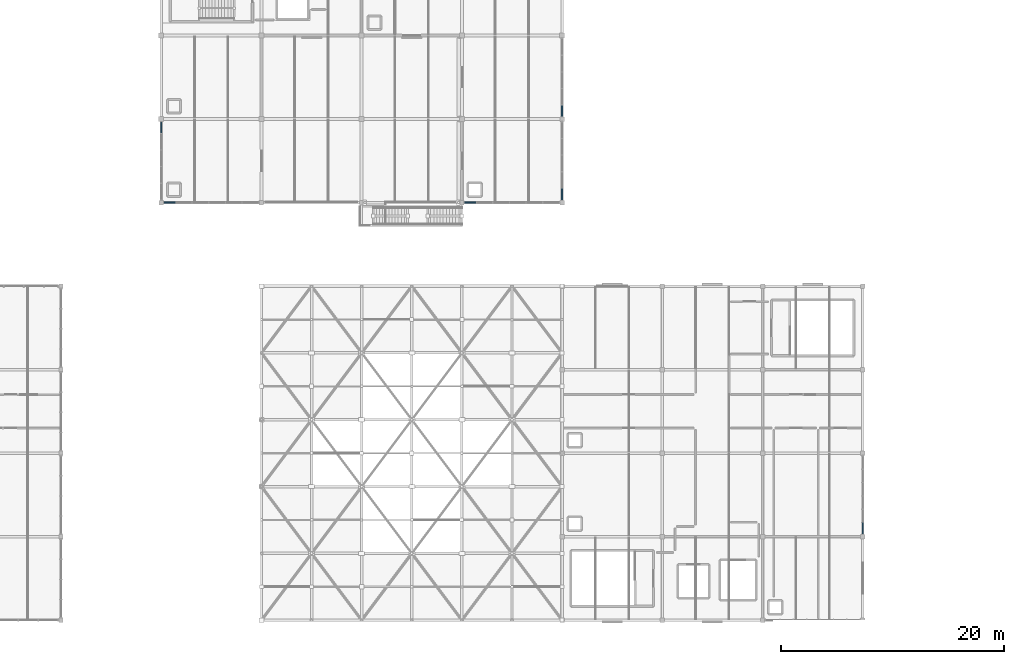
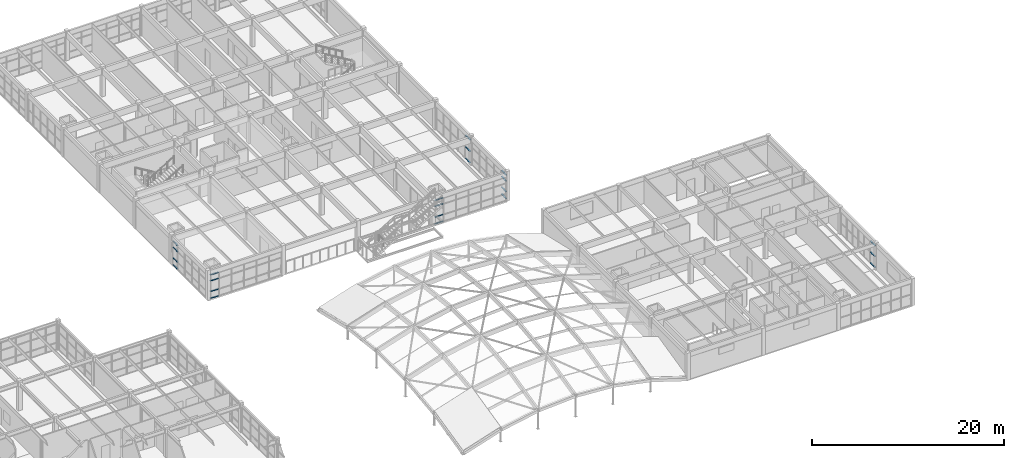
# One storey, part 47 of 81: 22 members, 6 elements without a shape of their own.
"""IFC4 building model written with IfcOpenShell, lengths in metres."""

from ifc_helpers import new_model, si_unit, direction, frame, origin, origin_2d, place, context, subcontext, project, spatial, rectangle, extrude, material, layer, layer_set, material_profile, profile_set, type_object, element, aggregate, save


model = new_model("IFC4")

# Units and contexts
model_context = context("Model", 3, precision=1e-05, world=origin(), true_north=direction((0.0, 1.0)))
body_context = subcontext(model_context, "Body", "Model", "MODEL_VIEW")
ifc_project = project(units=[si_unit("LENGTHUNIT", "METRE"), si_unit("AREAUNIT", "SQUARE_METRE"), si_unit("VOLUMEUNIT", "CUBIC_METRE"), si_unit("PLANEANGLEUNIT", "RADIAN"), si_unit("MASSUNIT", "GRAM", prefix="KILO")], contexts=[model_context])

# Site, building, storey
site_placement = place(None, origin())
site = spatial("IfcSite", under=ifc_project, at=site_placement, CompositionType="ELEMENT")
building_placement = place(site_placement, origin())
building = spatial("IfcBuilding", under=site, at=building_placement, Name="Marnridge Secondary College", CompositionType="ELEMENT")
storey_placement = place(building_placement, frame((0.0, 0.0, 8.5)))
storey = spatial("IfcBuildingStorey", under=building, at=storey_placement, Name="L02", CompositionType="ELEMENT", Elevation=8.5)

# Curtain wall, members
ifc_material_1 = material(Name="Thermally broken aluminium and low-E glazing", Category="aluminium")
ifc_layer_1 = layer(ifc_material_1, 0.159912109375)
ifc_layer_set_1 = layer_set([ifc_layer_1], Name="CW-MOD-1500")
curtain_wall_type_1 = type_object("IfcCurtainWallType", Name="CW-MOD-1500", PredefinedType="NOTDEFINED", material=ifc_layer_set_1)
curtain_wall_1_placement = place(storey_placement, origin())
curtain_wall_1 = element("IfcCurtainWall", 1, at=curtain_wall_1_placement, inside=storey, type_object=curtain_wall_type_1, Name="Unitised curtain wall CW-L02-078", PredefinedType="NOTDEFINED")
ifc_material_2 = material(Name="Anodised aluminium 6063-T6", Category="aluminium")
ifc_material_profile = material_profile(ifc_material_2, rectangle(XDim=0.06005859375, YDim=0.1201171875, at=origin_2d()), Name="ALU 60x120")
ifc_profile_set = profile_set([ifc_material_profile], Name="Anodised aluminium 6063-T6")
member_type = type_object("IfcMemberType", Name="CWT-ALU120", PredefinedType="USERDEFINED", material=ifc_profile_set)
member_1_placement = place(storey_placement, frame((90.0, 46.2109375, 0.030029296875), z_axis=(0.0, -1.0, 0.0), x_axis=(0.0, 0.0, 1.0)))
member_1 = element("IfcMember", 2, at=member_1_placement, type_object=member_type, Name="CW-L02-078 transom 5.1", ObjectType="TRANSOM", PredefinedType="USERDEFINED", context=body_context, shape_type="SweptSolid", body=[
    extrude(rectangle(XDim=0.06005859375, YDim=0.1201171875, at=origin_2d()), origin(), (0.0, 0.0, 1.0), 0.947021484375),
])
member_2_placement = place(storey_placement, frame((90.0, 46.2109375, 1.489013671875), z_axis=(0.0, -1.0, 0.0), x_axis=(0.0, 0.0, 1.0)))
member_2 = element("IfcMember", 3, at=member_2_placement, type_object=member_type, Name="CW-L02-078 transom 5.2", ObjectType="TRANSOM", PredefinedType="USERDEFINED", context=body_context, shape_type="SweptSolid", body=[
    extrude(rectangle(XDim=0.06005859375, YDim=0.1201171875, at=origin_2d()), origin(), (0.0, 0.0, 1.0), 0.947021484375),
])
member_3_placement = place(storey_placement, frame((90.0, 46.2109375, 2.947021484375), z_axis=(0.0, -1.0, 0.0), x_axis=(0.0, 0.0, 1.0)))
member_3 = element("IfcMember", 4, at=member_3_placement, type_object=member_type, Name="CW-L02-078 transom 5.3", ObjectType="TRANSOM", PredefinedType="USERDEFINED", context=body_context, shape_type="SweptSolid", body=[
    extrude(rectangle(XDim=0.06005859375, YDim=0.1201171875, at=origin_2d()), origin(), (0.0, 0.0, 1.0), 0.947021484375),
])
aggregate(curtain_wall_1, [member_1, member_2, member_3])

curtain_wall_2_placement = place(storey_placement, origin())
curtain_wall_2 = element("IfcCurtainWall", 5, at=curtain_wall_2_placement, inside=storey, type_object=curtain_wall_type_1, Name="Unitised curtain wall CW-L02-079", PredefinedType="NOTDEFINED")
member_4_placement = place(storey_placement, frame((90.0, 38.736083984375, 0.030029296875), z_axis=(0.0, -1.0, 0.0), x_axis=(0.0, 0.0, 1.0)))
member_4 = element("IfcMember", 6, at=member_4_placement, type_object=member_type, Name="CW-L02-079 transom 5.1", ObjectType="TRANSOM", PredefinedType="USERDEFINED", context=body_context, shape_type="SweptSolid", body=[
    extrude(rectangle(XDim=0.06005859375, YDim=0.1201171875, at=origin_2d()), origin(), (0.0, 0.0, 1.0), 0.97216796875),
])
member_5_placement = place(storey_placement, frame((90.0, 38.736083984375, 0.89990234375), z_axis=(0.0, -1.0, 0.0), x_axis=(0.0, 0.0, 1.0)))
member_5 = element("IfcMember", 7, at=member_5_placement, type_object=member_type, Name="CW-L02-079 transom 5.2", ObjectType="TRANSOM", PredefinedType="USERDEFINED", context=body_context, shape_type="SweptSolid", body=[
    extrude(rectangle(XDim=0.06005859375, YDim=0.1201171875, at=origin_2d()), origin(), (0.0, 0.0, 1.0), 0.97216796875),
])
member_6_placement = place(storey_placement, frame((90.0, 38.736083984375, 2.25), z_axis=(0.0, -1.0, 0.0), x_axis=(0.0, 0.0, 1.0)))
member_6 = element("IfcMember", 8, at=member_6_placement, type_object=member_type, Name="CW-L02-079 transom 5.3", ObjectType="TRANSOM", PredefinedType="USERDEFINED", context=body_context, shape_type="SweptSolid", body=[
    extrude(rectangle(XDim=0.06005859375, YDim=0.1201171875, at=origin_2d()), origin(), (0.0, 0.0, 1.0), 0.97216796875),
])
member_7_placement = place(storey_placement, frame((90.0, 38.736083984375, 3.01708984375), z_axis=(0.0, -1.0, 0.0), x_axis=(0.0, 0.0, 1.0)))
member_7 = element("IfcMember", 9, at=member_7_placement, type_object=member_type, Name="CW-L02-079 transom 5.4", ObjectType="TRANSOM", PredefinedType="USERDEFINED", context=body_context, shape_type="SweptSolid", body=[
    extrude(rectangle(XDim=0.06005859375, YDim=0.1201171875, at=origin_2d()), origin(), (0.0, 0.0, 1.0), 0.97216796875),
])
aggregate(curtain_wall_2, [member_4, member_5, member_6, member_7])

curtain_wall_3_placement = place(storey_placement, origin())
curtain_wall_3 = element("IfcCurtainWall", 10, at=curtain_wall_3_placement, inside=storey, type_object=curtain_wall_type_1, Name="Unitised curtain wall CW-L02-080", PredefinedType="NOTDEFINED")
member_8_placement = place(storey_placement, frame((82.236083984375, 37.5, 0.030029296875), z_axis=(-1.0, 0.0, 0.0), x_axis=(0.0, 0.0, 1.0)))
member_8 = element("IfcMember", 11, at=member_8_placement, type_object=member_type, Name="CW-L02-080 transom 6.1", ObjectType="TRANSOM", PredefinedType="USERDEFINED", context=body_context, shape_type="SweptSolid", body=[
    extrude(rectangle(XDim=0.06005859375, YDim=0.1201171875, at=origin_2d()), origin(), (0.0, 0.0, 1.0), 0.97216796875),
])
member_9_placement = place(storey_placement, frame((82.236083984375, 37.5, 0.89990234375), z_axis=(-1.0, 0.0, 0.0), x_axis=(0.0, 0.0, 1.0)))
member_9 = element("IfcMember", 12, at=member_9_placement, type_object=member_type, Name="CW-L02-080 transom 6.2", ObjectType="TRANSOM", PredefinedType="USERDEFINED", context=body_context, shape_type="SweptSolid", body=[
    extrude(rectangle(XDim=0.06005859375, YDim=0.1201171875, at=origin_2d()), origin(), (0.0, 0.0, 1.0), 0.97216796875),
])
member_10_placement = place(storey_placement, frame((82.236083984375, 37.5, 2.25), z_axis=(-1.0, 0.0, 0.0), x_axis=(0.0, 0.0, 1.0)))
member_10 = element("IfcMember", 13, at=member_10_placement, type_object=member_type, Name="CW-L02-080 transom 6.3", ObjectType="TRANSOM", PredefinedType="USERDEFINED", context=body_context, shape_type="SweptSolid", body=[
    extrude(rectangle(XDim=0.06005859375, YDim=0.1201171875, at=origin_2d()), origin(), (0.0, 0.0, 1.0), 0.97216796875),
])
member_11_placement = place(storey_placement, frame((82.236083984375, 37.5, 3.01708984375), z_axis=(-1.0, 0.0, 0.0), x_axis=(0.0, 0.0, 1.0)))
member_11 = element("IfcMember", 14, at=member_11_placement, type_object=member_type, Name="CW-L02-080 transom 6.4", ObjectType="TRANSOM", PredefinedType="USERDEFINED", context=body_context, shape_type="SweptSolid", body=[
    extrude(rectangle(XDim=0.06005859375, YDim=0.1201171875, at=origin_2d()), origin(), (0.0, 0.0, 1.0), 0.97216796875),
])
aggregate(curtain_wall_3, [member_8, member_9, member_10, member_11])

curtain_wall_4_placement = place(storey_placement, origin())
curtain_wall_4 = element("IfcCurtainWall", 15, at=curtain_wall_4_placement, inside=storey, type_object=curtain_wall_type_1, Name="Unitised curtain wall CW-L02-081", PredefinedType="NOTDEFINED")
member_12_placement = place(storey_placement, frame((55.236083984375, 37.5, 0.030029296875), z_axis=(-1.0, 0.0, 0.0), x_axis=(0.0, 0.0, 1.0)))
member_12 = element("IfcMember", 16, at=member_12_placement, type_object=member_type, Name="CW-L02-081 transom 6.1", ObjectType="TRANSOM", PredefinedType="USERDEFINED", context=body_context, shape_type="SweptSolid", body=[
    extrude(rectangle(XDim=0.06005859375, YDim=0.1201171875, at=origin_2d()), origin(), (0.0, 0.0, 1.0), 0.97216796875),
])
member_13_placement = place(storey_placement, frame((55.236083984375, 37.5, 0.89990234375), z_axis=(-1.0, 0.0, 0.0), x_axis=(0.0, 0.0, 1.0)))
member_13 = element("IfcMember", 17, at=member_13_placement, type_object=member_type, Name="CW-L02-081 transom 6.2", ObjectType="TRANSOM", PredefinedType="USERDEFINED", context=body_context, shape_type="SweptSolid", body=[
    extrude(rectangle(XDim=0.06005859375, YDim=0.1201171875, at=origin_2d()), origin(), (0.0, 0.0, 1.0), 0.97216796875),
])
member_14_placement = place(storey_placement, frame((55.236083984375, 37.5, 2.25), z_axis=(-1.0, 0.0, 0.0), x_axis=(0.0, 0.0, 1.0)))
member_14 = element("IfcMember", 18, at=member_14_placement, type_object=member_type, Name="CW-L02-081 transom 6.3", ObjectType="TRANSOM", PredefinedType="USERDEFINED", context=body_context, shape_type="SweptSolid", body=[
    extrude(rectangle(XDim=0.06005859375, YDim=0.1201171875, at=origin_2d()), origin(), (0.0, 0.0, 1.0), 0.97216796875),
])
member_15_placement = place(storey_placement, frame((55.236083984375, 37.5, 3.01708984375), z_axis=(-1.0, 0.0, 0.0), x_axis=(0.0, 0.0, 1.0)))
member_15 = element("IfcMember", 19, at=member_15_placement, type_object=member_type, Name="CW-L02-081 transom 6.4", ObjectType="TRANSOM", PredefinedType="USERDEFINED", context=body_context, shape_type="SweptSolid", body=[
    extrude(rectangle(XDim=0.06005859375, YDim=0.1201171875, at=origin_2d()), origin(), (0.0, 0.0, 1.0), 0.97216796875),
])
aggregate(curtain_wall_4, [member_12, member_13, member_14, member_15])

curtain_wall_5_placement = place(storey_placement, origin())
curtain_wall_5 = element("IfcCurtainWall", 20, at=curtain_wall_5_placement, inside=storey, type_object=curtain_wall_type_1, Name="Unitised curtain wall CW-L02-082", PredefinedType="NOTDEFINED")
member_16_placement = place(storey_placement, frame((54.0, 43.763916015625, 0.030029296875), z_axis=(0.0, 1.0, 0.0), x_axis=(0.0, 0.0, 1.0)))
member_16 = element("IfcMember", 21, at=member_16_placement, type_object=member_type, Name="CW-L02-082 transom 5.1", ObjectType="TRANSOM", PredefinedType="USERDEFINED", context=body_context, shape_type="SweptSolid", body=[
    extrude(rectangle(XDim=0.06005859375, YDim=0.1201171875, at=origin_2d()), origin(), (0.0, 0.0, 1.0), 0.947021484375),
])
member_17_placement = place(storey_placement, frame((54.0, 43.763916015625, 0.89990234375), z_axis=(0.0, 1.0, 0.0), x_axis=(0.0, 0.0, 1.0)))
member_17 = element("IfcMember", 22, at=member_17_placement, type_object=member_type, Name="CW-L02-082 transom 5.2", ObjectType="TRANSOM", PredefinedType="USERDEFINED", context=body_context, shape_type="SweptSolid", body=[
    extrude(rectangle(XDim=0.06005859375, YDim=0.1201171875, at=origin_2d()), origin(), (0.0, 0.0, 1.0), 0.947021484375),
])
member_18_placement = place(storey_placement, frame((54.0, 43.763916015625, 2.25), z_axis=(0.0, 1.0, 0.0), x_axis=(0.0, 0.0, 1.0)))
member_18 = element("IfcMember", 23, at=member_18_placement, type_object=member_type, Name="CW-L02-082 transom 5.3", ObjectType="TRANSOM", PredefinedType="USERDEFINED", context=body_context, shape_type="SweptSolid", body=[
    extrude(rectangle(XDim=0.06005859375, YDim=0.1201171875, at=origin_2d()), origin(), (0.0, 0.0, 1.0), 0.947021484375),
])
member_19_placement = place(storey_placement, frame((54.0, 43.763916015625, 3.01708984375), z_axis=(0.0, 1.0, 0.0), x_axis=(0.0, 0.0, 1.0)))
member_19 = element("IfcMember", 24, at=member_19_placement, type_object=member_type, Name="CW-L02-082 transom 5.4", ObjectType="TRANSOM", PredefinedType="USERDEFINED", context=body_context, shape_type="SweptSolid", body=[
    extrude(rectangle(XDim=0.06005859375, YDim=0.1201171875, at=origin_2d()), origin(), (0.0, 0.0, 1.0), 0.947021484375),
])
aggregate(curtain_wall_5, [member_16, member_17, member_18, member_19])

ifc_material_3 = material(Name="Thermally broken aluminium and low-E glazing", Category="aluminium")
ifc_layer_2 = layer(ifc_material_3, 0.179931640625)
ifc_layer_set_2 = layer_set([ifc_layer_2], Name="CW-MOD-1200")
curtain_wall_type_2 = type_object("IfcCurtainWallType", Name="CW-MOD-1200", PredefinedType="NOTDEFINED", material=ifc_layer_set_2)
curtain_wall_6_placement = place(storey_placement, origin())
curtain_wall_6 = element("IfcCurtainWall", 25, at=curtain_wall_6_placement, inside=storey, type_object=curtain_wall_type_2, Name="Unitised curtain wall CW-L02-085", PredefinedType="NOTDEFINED")
member_20_placement = place(storey_placement, frame((117.0, 8.73095703125, 0.030029296875), z_axis=(0.0, -1.0, 0.0), x_axis=(0.0, 0.0, 1.0)))
member_20 = element("IfcMember", 26, at=member_20_placement, type_object=member_type, Name="CW-L02-085 transom 6.1", ObjectType="TRANSOM", PredefinedType="USERDEFINED", context=body_context, shape_type="SweptSolid", body=[
    extrude(rectangle(XDim=0.06005859375, YDim=0.1201171875, at=origin_2d()), origin(), (0.0, 0.0, 1.0), 0.9619140625),
])
member_21_placement = place(storey_placement, frame((117.0, 8.73095703125, 1.4130859375), z_axis=(0.0, -1.0, 0.0), x_axis=(0.0, 0.0, 1.0)))
member_21 = element("IfcMember", 27, at=member_21_placement, type_object=member_type, Name="CW-L02-085 transom 6.2", ObjectType="TRANSOM", PredefinedType="USERDEFINED", context=body_context, shape_type="SweptSolid", body=[
    extrude(rectangle(XDim=0.06005859375, YDim=0.1201171875, at=origin_2d()), origin(), (0.0, 0.0, 1.0), 0.9619140625),
])
member_22_placement = place(storey_placement, frame((117.0, 8.73095703125, 2.797119140625), z_axis=(0.0, -1.0, 0.0), x_axis=(0.0, 0.0, 1.0)))
member_22 = element("IfcMember", 28, at=member_22_placement, type_object=member_type, Name="CW-L02-085 transom 6.3", ObjectType="TRANSOM", PredefinedType="USERDEFINED", context=body_context, shape_type="SweptSolid", body=[
    extrude(rectangle(XDim=0.06005859375, YDim=0.1201171875, at=origin_2d()), origin(), (0.0, 0.0, 1.0), 0.9619140625),
])
aggregate(curtain_wall_6, [member_20, member_21, member_22])

save(model, "model.ifc")
